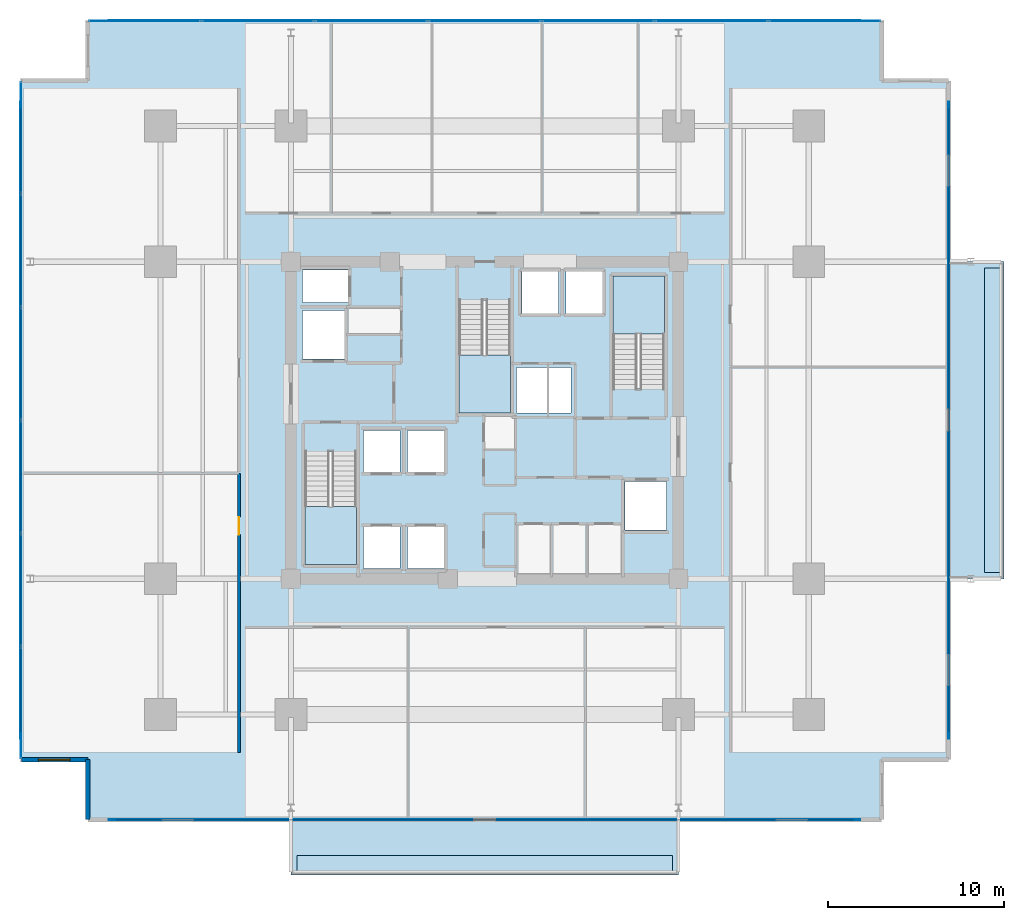
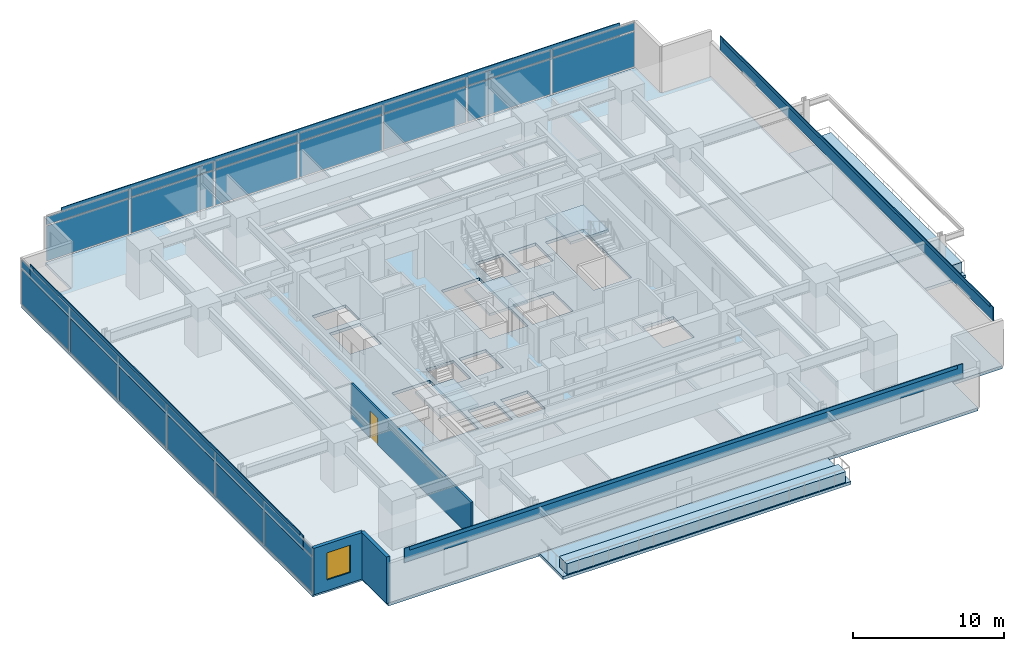
# One storey, part 12 of 21: 34 plates, 8 slabs, 3 walls, 1 door, 1 window, 2 openings, 5 elements without a shape of their own.
"""IFC4 building model written with IfcOpenShell, lengths in metres."""

from ifc_helpers import new_model, si_unit, direction, frame, frame_2d, origin, origin_2d, place, context, subcontext, project, spatial, polyline, rectangle, outline, extrude, material, layer, layer_set, type_object, element, fill, aggregate, save


model = new_model("IFC4")

# Units and contexts
model_context = context("Model", 3, precision=1e-05, world=origin(), true_north=direction((0.0, 1.0)))
body_context = subcontext(model_context, "Body", "Model", "MODEL_VIEW")
ifc_project = project(units=[si_unit("LENGTHUNIT", "METRE"), si_unit("AREAUNIT", "SQUARE_METRE"), si_unit("VOLUMEUNIT", "CUBIC_METRE"), si_unit("PLANEANGLEUNIT", "RADIAN"), si_unit("MASSUNIT", "GRAM", prefix="KILO")], contexts=[model_context])

# Site, building, storey
site_placement = place(None, origin())
site = spatial("IfcSite", under=ifc_project, at=site_placement, CompositionType="ELEMENT")
building_placement = place(site_placement, origin())
building = spatial("IfcBuilding", under=site, at=building_placement, Name="Kovane Verandah Tower", CompositionType="ELEMENT")
storey_placement = place(building_placement, frame((0.0, 0.0, 87.60009765625)))
storey = spatial("IfcBuildingStorey", under=building, at=storey_placement, Name="L20", CompositionType="ELEMENT", Elevation=87.60009765625)

# Curtain wall, plates
ifc_material_1 = material(Name="Champagne Anodised Aluminium Frame with Low-E Clear Laminated Glass", Category="aluminium")
curtain_wall_type = type_object("IfcCurtainWallType", Name="CW-SYS-02-LOW", PredefinedType="NOTDEFINED", material=ifc_material_1)
curtain_wall_1_placement = place(storey_placement, origin())
curtain_wall_1 = element("IfcCurtainWall", 1, at=curtain_wall_1_placement, inside=storey, type_object=curtain_wall_type, Name="L20 N Unitised Curtain Wall", PredefinedType="NOTDEFINED")
ifc_material_2 = material(Name="Pale Champagne Anodised Aluminium Insulated Spandrel", Category="aluminium")
ifc_layer_1 = layer(ifc_material_2, 0.0400390625)
ifc_layer_set_1 = layer_set([ifc_layer_1], Name="Pale Champagne Anodised Aluminium Insulated Spandrel")
plate_type_1 = type_object("IfcPlateType", Name="PL-CW-SPD-40", PredefinedType="SHEET", material=ifc_layer_set_1)
plate_1_placement = place(storey_placement, frame((59.311279296875, 50.1708984375, 3.02978515625), z_axis=(0.0, 0.0, 1.0), x_axis=(-1.0, 0.0, 0.0)))
plate_1 = element("IfcPlate", 2, at=plate_1_placement, type_object=plate_type_1, Name="L20 N Unitised Curtain Wall Spandrel Panel 1", PredefinedType="SHEET", context=body_context, shape_type="SweptSolid", body=[
    extrude(rectangle(XDim=6.297119140625, YDim=0.0400390625, at=origin_2d()), origin(), (0.0, 0.0, 1.0), 0.639892578125),
])
plate_2_placement = place(storey_placement, frame((52.874267578125, 50.1708984375, 3.02978515625), z_axis=(0.0, 0.0, 1.0), x_axis=(-1.0, 0.0, 0.0)))
plate_2 = element("IfcPlate", 3, at=plate_2_placement, type_object=plate_type_1, Name="L20 N Unitised Curtain Wall Spandrel Panel 2", PredefinedType="SHEET", context=body_context, shape_type="SweptSolid", body=[
    extrude(rectangle(XDim=6.297119140625, YDim=0.0400390625, at=origin_2d()), origin(), (0.0, 0.0, 1.0), 0.639892578125),
])
plate_3_placement = place(storey_placement, frame((46.43701171875, 50.1708984375, 3.02978515625), z_axis=(0.0, 0.0, 1.0), x_axis=(-1.0, 0.0, 0.0)))
plate_3 = element("IfcPlate", 4, at=plate_3_placement, type_object=plate_type_1, Name="L20 N Unitised Curtain Wall Spandrel Panel 3", PredefinedType="SHEET", context=body_context, shape_type="SweptSolid", body=[
    extrude(rectangle(XDim=6.297119140625, YDim=0.0400390625, at=origin_2d()), origin(), (0.0, 0.0, 1.0), 0.639892578125),
])
plate_4_placement = place(storey_placement, frame((40.0, 50.1708984375, 3.02978515625), z_axis=(0.0, 0.0, 1.0), x_axis=(-1.0, 0.0, 0.0)))
plate_4 = element("IfcPlate", 5, at=plate_4_placement, type_object=plate_type_1, Name="L20 N Unitised Curtain Wall Spandrel Panel 4", PredefinedType="SHEET", context=body_context, shape_type="SweptSolid", body=[
    extrude(rectangle(XDim=6.297119140625, YDim=0.0400390625, at=origin_2d()), origin(), (0.0, 0.0, 1.0), 0.639892578125),
])
plate_5_placement = place(storey_placement, frame((33.56298828125, 50.1708984375, 3.02978515625), z_axis=(0.0, 0.0, 1.0), x_axis=(-1.0, 0.0, 0.0)))
plate_5 = element("IfcPlate", 6, at=plate_5_placement, type_object=plate_type_1, Name="L20 N Unitised Curtain Wall Spandrel Panel 5", PredefinedType="SHEET", context=body_context, shape_type="SweptSolid", body=[
    extrude(rectangle(XDim=6.297119140625, YDim=0.0400390625, at=origin_2d()), origin(), (0.0, 0.0, 1.0), 0.639892578125),
])
plate_6_placement = place(storey_placement, frame((27.125732421875, 50.1708984375, 3.02978515625), z_axis=(0.0, 0.0, 1.0), x_axis=(-1.0, 0.0, 0.0)))
plate_6 = element("IfcPlate", 7, at=plate_6_placement, type_object=plate_type_1, Name="L20 N Unitised Curtain Wall Spandrel Panel 6", PredefinedType="SHEET", context=body_context, shape_type="SweptSolid", body=[
    extrude(rectangle(XDim=6.297119140625, YDim=0.0400390625, at=origin_2d()), origin(), (0.0, 0.0, 1.0), 0.639892578125),
])
plate_7_placement = place(storey_placement, frame((20.688720703125, 50.1708984375, 3.02978515625), z_axis=(0.0, 0.0, 1.0), x_axis=(-1.0, 0.0, 0.0)))
plate_7 = element("IfcPlate", 8, at=plate_7_placement, type_object=plate_type_1, Name="L20 N Unitised Curtain Wall Spandrel Panel 7", PredefinedType="SHEET", context=body_context, shape_type="SweptSolid", body=[
    extrude(rectangle(XDim=6.297119140625, YDim=0.0400390625, at=origin_2d()), origin(), (0.0, 0.0, 1.0), 0.639892578125),
])

curtain_wall_2_placement = place(storey_placement, origin())
curtain_wall_2 = element("IfcCurtainWall", 9, at=curtain_wall_2_placement, inside=storey, type_object=curtain_wall_type, Name="L20 W Unitised Curtain Wall", PredefinedType="NOTDEFINED")
plate_8_placement = place(storey_placement, frame((13.670166015625, 43.55908203125, 3.02978515625), z_axis=(0.0, 0.0, 1.0), x_axis=(0.0, -1.0, 0.0)))
plate_8 = element("IfcPlate", 10, at=plate_8_placement, type_object=plate_type_1, Name="L20 W Unitised Curtain Wall Spandrel Panel 1", PredefinedType="SHEET", context=body_context, shape_type="SweptSolid", body=[
    extrude(rectangle(XDim=6.28369140625, YDim=0.0400390625, at=origin_2d()), origin(), (0.0, 0.0, 1.0), 0.639892578125),
])
plate_9_placement = place(storey_placement, frame((13.670166015625, 37.135498046875, 3.02978515625), z_axis=(0.0, 0.0, 1.0), x_axis=(0.0, -1.0, 0.0)))
plate_9 = element("IfcPlate", 11, at=plate_9_placement, type_object=plate_type_1, Name="L20 W Unitised Curtain Wall Spandrel Panel 2", PredefinedType="SHEET", context=body_context, shape_type="SweptSolid", body=[
    extrude(rectangle(XDim=6.28369140625, YDim=0.0400390625, at=origin_2d()), origin(), (0.0, 0.0, 1.0), 0.639892578125),
])
plate_10_placement = place(storey_placement, frame((13.670166015625, 30.7119140625, 3.02978515625), z_axis=(0.0, 0.0, 1.0), x_axis=(0.0, -1.0, 0.0)))
plate_10 = element("IfcPlate", 12, at=plate_10_placement, type_object=plate_type_1, Name="L20 W Unitised Curtain Wall Spandrel Panel 3", PredefinedType="SHEET", context=body_context, shape_type="SweptSolid", body=[
    extrude(rectangle(XDim=6.28369140625, YDim=0.0400390625, at=origin_2d()), origin(), (0.0, 0.0, 1.0), 0.639892578125),
])
plate_11_placement = place(storey_placement, frame((13.670166015625, 24.2880859375, 3.02978515625), z_axis=(0.0, 0.0, 1.0), x_axis=(0.0, -1.0, 0.0)))
plate_11 = element("IfcPlate", 13, at=plate_11_placement, type_object=plate_type_1, Name="L20 W Unitised Curtain Wall Spandrel Panel 4", PredefinedType="SHEET", context=body_context, shape_type="SweptSolid", body=[
    extrude(rectangle(XDim=6.28369140625, YDim=0.0400390625, at=origin_2d()), origin(), (0.0, 0.0, 1.0), 0.639892578125),
])
plate_12_placement = place(storey_placement, frame((13.670166015625, 17.864501953125, 3.02978515625), z_axis=(0.0, 0.0, 1.0), x_axis=(0.0, -1.0, 0.0)))
plate_12 = element("IfcPlate", 14, at=plate_12_placement, type_object=plate_type_1, Name="L20 W Unitised Curtain Wall Spandrel Panel 5", PredefinedType="SHEET", context=body_context, shape_type="SweptSolid", body=[
    extrude(rectangle(XDim=6.28369140625, YDim=0.0400390625, at=origin_2d()), origin(), (0.0, 0.0, 1.0), 0.639892578125),
])
plate_13_placement = place(storey_placement, frame((13.670166015625, 11.44091796875, 3.02978515625), z_axis=(0.0, 0.0, 1.0), x_axis=(0.0, -1.0, 0.0)))
plate_13 = element("IfcPlate", 15, at=plate_13_placement, type_object=plate_type_1, Name="L20 W Unitised Curtain Wall Spandrel Panel 6", PredefinedType="SHEET", context=body_context, shape_type="SweptSolid", body=[
    extrude(rectangle(XDim=6.28369140625, YDim=0.0400390625, at=origin_2d()), origin(), (0.0, 0.0, 1.0), 0.639892578125),
])

# Plate
ifc_material_3 = material(Name="Clear Low-E Laminated Double Glazing", Category="glass")
ifc_layer_2 = layer(ifc_material_3, 0.031982421875)
ifc_layer_set_2 = layer_set([ifc_layer_2], Name="Clear Low-E Laminated Double Glazing")
plate_type_2 = type_object("IfcPlateType", Name="PL-CW-VIS-32", PredefinedType="CURTAIN_PANEL", material=ifc_layer_set_2)
plate_14_placement = place(storey_placement, frame((59.311279296875, 50.1708984375, 0.099853515625), z_axis=(0.0, 0.0, 1.0), x_axis=(-1.0, 0.0, 0.0)))
plate_14 = element("IfcPlate", 16, at=plate_14_placement, type_object=plate_type_2, Name="L20 N Unitised Curtain Wall Vision Panel 1", PredefinedType="CURTAIN_PANEL", context=body_context, shape_type="SweptSolid", body=[
    extrude(rectangle(XDim=6.297119140625, YDim=0.031982421875, at=origin_2d()), origin(), (0.0, 0.0, 1.0), 2.830078125),
])

plate_15_placement = place(storey_placement, frame((52.874267578125, 50.1708984375, 0.099853515625), z_axis=(0.0, 0.0, 1.0), x_axis=(-1.0, 0.0, 0.0)))
plate_15 = element("IfcPlate", 17, at=plate_15_placement, type_object=plate_type_2, Name="L20 N Unitised Curtain Wall Vision Panel 2", PredefinedType="CURTAIN_PANEL", context=body_context, shape_type="SweptSolid", body=[
    extrude(rectangle(XDim=6.297119140625, YDim=0.031982421875, at=origin_2d()), origin(), (0.0, 0.0, 1.0), 2.830078125),
])

plate_16_placement = place(storey_placement, frame((46.43701171875, 50.1708984375, 0.099853515625), z_axis=(0.0, 0.0, 1.0), x_axis=(-1.0, 0.0, 0.0)))
plate_16 = element("IfcPlate", 18, at=plate_16_placement, type_object=plate_type_2, Name="L20 N Unitised Curtain Wall Vision Panel 3", PredefinedType="CURTAIN_PANEL", context=body_context, shape_type="SweptSolid", body=[
    extrude(rectangle(XDim=6.297119140625, YDim=0.031982421875, at=origin_2d()), origin(), (0.0, 0.0, 1.0), 2.830078125),
])

plate_17_placement = place(storey_placement, frame((40.0, 50.1708984375, 0.099853515625), z_axis=(0.0, 0.0, 1.0), x_axis=(-1.0, 0.0, 0.0)))
plate_17 = element("IfcPlate", 19, at=plate_17_placement, type_object=plate_type_2, Name="L20 N Unitised Curtain Wall Vision Panel 4", PredefinedType="CURTAIN_PANEL", context=body_context, shape_type="SweptSolid", body=[
    extrude(rectangle(XDim=6.297119140625, YDim=0.031982421875, at=origin_2d()), origin(), (0.0, 0.0, 1.0), 2.830078125),
])

plate_18_placement = place(storey_placement, frame((33.56298828125, 50.1708984375, 0.099853515625), z_axis=(0.0, 0.0, 1.0), x_axis=(-1.0, 0.0, 0.0)))
plate_18 = element("IfcPlate", 20, at=plate_18_placement, type_object=plate_type_2, Name="L20 N Unitised Curtain Wall Vision Panel 5", PredefinedType="CURTAIN_PANEL", context=body_context, shape_type="SweptSolid", body=[
    extrude(rectangle(XDim=6.297119140625, YDim=0.031982421875, at=origin_2d()), origin(), (0.0, 0.0, 1.0), 2.830078125),
])

plate_19_placement = place(storey_placement, frame((27.125732421875, 50.1708984375, 0.099853515625), z_axis=(0.0, 0.0, 1.0), x_axis=(-1.0, 0.0, 0.0)))
plate_19 = element("IfcPlate", 21, at=plate_19_placement, type_object=plate_type_2, Name="L20 N Unitised Curtain Wall Vision Panel 6", PredefinedType="CURTAIN_PANEL", context=body_context, shape_type="SweptSolid", body=[
    extrude(rectangle(XDim=6.297119140625, YDim=0.031982421875, at=origin_2d()), origin(), (0.0, 0.0, 1.0), 2.830078125),
])

plate_20_placement = place(storey_placement, frame((20.688720703125, 50.1708984375, 0.099853515625), z_axis=(0.0, 0.0, 1.0), x_axis=(-1.0, 0.0, 0.0)))
plate_20 = element("IfcPlate", 22, at=plate_20_placement, type_object=plate_type_2, Name="L20 N Unitised Curtain Wall Vision Panel 7", PredefinedType="CURTAIN_PANEL", context=body_context, shape_type="SweptSolid", body=[
    extrude(rectangle(XDim=6.297119140625, YDim=0.031982421875, at=origin_2d()), origin(), (0.0, 0.0, 1.0), 2.830078125),
])

aggregate(curtain_wall_1, [plate_14, plate_1, plate_15, plate_2, plate_16, plate_3, plate_17, plate_4, plate_18, plate_5, plate_19, plate_6, plate_20, plate_7])

plate_21_placement = place(storey_placement, frame((13.670166015625, 43.55908203125, 0.099853515625), z_axis=(0.0, 0.0, 1.0), x_axis=(0.0, -1.0, 0.0)))
plate_21 = element("IfcPlate", 23, at=plate_21_placement, type_object=plate_type_2, Name="L20 W Unitised Curtain Wall Vision Panel 1", PredefinedType="CURTAIN_PANEL", context=body_context, shape_type="SweptSolid", body=[
    extrude(rectangle(XDim=6.28369140625, YDim=0.031982421875, at=origin_2d()), origin(), (0.0, 0.0, 1.0), 2.830078125),
])

plate_22_placement = place(storey_placement, frame((13.670166015625, 37.135498046875, 0.099853515625), z_axis=(0.0, 0.0, 1.0), x_axis=(0.0, -1.0, 0.0)))
plate_22 = element("IfcPlate", 24, at=plate_22_placement, type_object=plate_type_2, Name="L20 W Unitised Curtain Wall Vision Panel 2", PredefinedType="CURTAIN_PANEL", context=body_context, shape_type="SweptSolid", body=[
    extrude(rectangle(XDim=6.28369140625, YDim=0.031982421875, at=origin_2d()), origin(), (0.0, 0.0, 1.0), 2.830078125),
])

plate_23_placement = place(storey_placement, frame((13.670166015625, 30.7119140625, 0.099853515625), z_axis=(0.0, 0.0, 1.0), x_axis=(0.0, -1.0, 0.0)))
plate_23 = element("IfcPlate", 25, at=plate_23_placement, type_object=plate_type_2, Name="L20 W Unitised Curtain Wall Vision Panel 3", PredefinedType="CURTAIN_PANEL", context=body_context, shape_type="SweptSolid", body=[
    extrude(rectangle(XDim=6.28369140625, YDim=0.031982421875, at=origin_2d()), origin(), (0.0, 0.0, 1.0), 2.830078125),
])

plate_24_placement = place(storey_placement, frame((13.670166015625, 24.2880859375, 0.099853515625), z_axis=(0.0, 0.0, 1.0), x_axis=(0.0, -1.0, 0.0)))
plate_24 = element("IfcPlate", 26, at=plate_24_placement, type_object=plate_type_2, Name="L20 W Unitised Curtain Wall Vision Panel 4", PredefinedType="CURTAIN_PANEL", context=body_context, shape_type="SweptSolid", body=[
    extrude(rectangle(XDim=6.28369140625, YDim=0.031982421875, at=origin_2d()), origin(), (0.0, 0.0, 1.0), 2.830078125),
])

plate_25_placement = place(storey_placement, frame((13.670166015625, 17.864501953125, 0.099853515625), z_axis=(0.0, 0.0, 1.0), x_axis=(0.0, -1.0, 0.0)))
plate_25 = element("IfcPlate", 27, at=plate_25_placement, type_object=plate_type_2, Name="L20 W Unitised Curtain Wall Vision Panel 5", PredefinedType="CURTAIN_PANEL", context=body_context, shape_type="SweptSolid", body=[
    extrude(rectangle(XDim=6.28369140625, YDim=0.031982421875, at=origin_2d()), origin(), (0.0, 0.0, 1.0), 2.830078125),
])

plate_26_placement = place(storey_placement, frame((13.670166015625, 11.44091796875, 0.099853515625), z_axis=(0.0, 0.0, 1.0), x_axis=(0.0, -1.0, 0.0)))
plate_26 = element("IfcPlate", 28, at=plate_26_placement, type_object=plate_type_2, Name="L20 W Unitised Curtain Wall Vision Panel 6", PredefinedType="CURTAIN_PANEL", context=body_context, shape_type="SweptSolid", body=[
    extrude(rectangle(XDim=6.28369140625, YDim=0.031982421875, at=origin_2d()), origin(), (0.0, 0.0, 1.0), 2.830078125),
])

aggregate(curtain_wall_2, [plate_21, plate_8, plate_22, plate_9, plate_23, plate_10, plate_24, plate_11, plate_25, plate_12, plate_26, plate_13])

# Plates
ifc_material_4 = material(Name="Perforated Pale Champagne Anodised Aluminium Solar Screen", Category="aluminium")
ifc_layer_3 = layer(ifc_material_4, 0.050048828125)
ifc_layer_set_3 = layer_set([ifc_layer_3], Name="Perforated Pale Champagne Anodised Aluminium Solar Screen")
plate_type_3 = type_object("IfcPlateType", Name="PL-SCREEN-50", PredefinedType="USERDEFINED", material=ifc_layer_set_3)
plate_27_placement = place(storey_placement, frame((40.0, 4.814208984375, 2.85986328125), z_axis=(0.0, 0.0, 1.0), x_axis=(1.0, 0.0, 0.0)))
element("IfcPlate", 29, at=plate_27_placement, inside=storey, type_object=plate_type_3, Name="L20 S Perforated Champagne-Gold Solar Screen", ObjectType="SCREEN", PredefinedType="USERDEFINED", context=body_context, shape_type="SweptSolid", body=[
    extrude(rectangle(XDim=42.659912109375, YDim=0.050048828125, at=origin_2d()), origin(), (0.0, 0.0, 1.0), 1.14990234375),
])
plate_28_placement = place(storey_placement, frame((66.344970703125, 27.5, 2.85986328125), z_axis=(0.0, 0.0, 1.0), x_axis=(0.0, 1.0, 0.0)))
element("IfcPlate", 30, at=plate_28_placement, inside=storey, type_object=plate_type_3, Name="L20 E Perforated Champagne-Gold Solar Screen", ObjectType="SCREEN", PredefinedType="USERDEFINED", context=body_context, shape_type="SweptSolid", body=[
    extrude(rectangle(XDim=36.14208984375, YDim=0.050048828125, at=origin_2d()), origin(), (0.0, 0.0, 1.0), 1.14990234375),
])
plate_29_placement = place(storey_placement, frame((40.0, 50.185791015625, 2.85986328125), z_axis=(0.0, 0.0, 1.0), x_axis=(-1.0, 0.0, 0.0)))
element("IfcPlate", 31, at=plate_29_placement, inside=storey, type_object=plate_type_3, Name="L20 N Perforated Champagne-Gold Solar Screen", ObjectType="SCREEN", PredefinedType="USERDEFINED", context=body_context, shape_type="SweptSolid", body=[
    extrude(rectangle(XDim=42.659912109375, YDim=0.050048828125, at=origin_2d()), origin(), (0.0, 0.0, 1.0), 1.14990234375),
])
plate_30_placement = place(storey_placement, frame((13.655029296875, 27.5, 2.85986328125), z_axis=(0.0, 0.0, 1.0), x_axis=(0.0, -1.0, 0.0)))
element("IfcPlate", 32, at=plate_30_placement, inside=storey, type_object=plate_type_3, Name="L20 W Perforated Champagne-Gold Solar Screen", ObjectType="SCREEN", PredefinedType="USERDEFINED", context=body_context, shape_type="SweptSolid", body=[
    extrude(rectangle(XDim=36.14208984375, YDim=0.050048828125, at=origin_2d()), origin(), (0.0, 0.0, 1.0), 1.14990234375),
])
ifc_material_5 = material(Name="Extruded Pale-Bronze Aluminium Aerofoil Sunshade", Category="aluminium")
ifc_layer_4 = layer(ifc_material_5, 0.06005859375)
ifc_layer_set_4 = layer_set([ifc_layer_4], Name="Extruded Pale-Bronze Aluminium Aerofoil Sunshade")
plate_type_4 = type_object("IfcPlateType", Name="PL-SUNSHADE-60", PredefinedType="USERDEFINED", material=ifc_layer_set_4)
plate_31_placement = place(storey_placement, frame((40.0, 4.80908203125, 3.73974609375), z_axis=(0.0, 0.0, 1.0), x_axis=(1.0, 0.0, 0.0)))
element("IfcPlate", 33, at=plate_31_placement, inside=storey, type_object=plate_type_4, Name="L20 S Subtropical Aerofoil Sunshade", ObjectType="SUNSHADE", PredefinedType="USERDEFINED", context=body_context, shape_type="SweptSolid", body=[
    extrude(rectangle(XDim=41.860107421875, YDim=0.06005859375, at=origin_2d()), origin(), (0.0, 0.0, 1.0), 0.280029296875),
])
plate_32_placement = place(storey_placement, frame((66.349853515625, 27.5, 3.73974609375), z_axis=(0.0, 0.0, 1.0), x_axis=(0.0, 1.0, 0.0)))
element("IfcPlate", 34, at=plate_32_placement, inside=storey, type_object=plate_type_4, Name="L20 E Subtropical Aerofoil Sunshade", ObjectType="SUNSHADE", PredefinedType="USERDEFINED", context=body_context, shape_type="SweptSolid", body=[
    extrude(rectangle(XDim=35.342041015625, YDim=0.06005859375, at=origin_2d()), origin(), (0.0, 0.0, 1.0), 0.280029296875),
])
plate_33_placement = place(storey_placement, frame((40.0, 50.19091796875, 3.73974609375), z_axis=(0.0, 0.0, 1.0), x_axis=(-1.0, 0.0, 0.0)))
element("IfcPlate", 35, at=plate_33_placement, inside=storey, type_object=plate_type_4, Name="L20 N Subtropical Aerofoil Sunshade", ObjectType="SUNSHADE", PredefinedType="USERDEFINED", context=body_context, shape_type="SweptSolid", body=[
    extrude(rectangle(XDim=41.860107421875, YDim=0.06005859375, at=origin_2d()), origin(), (0.0, 0.0, 1.0), 0.280029296875),
])
plate_34_placement = place(storey_placement, frame((13.650146484375, 27.5, 3.73974609375), z_axis=(0.0, 0.0, 1.0), x_axis=(0.0, -1.0, 0.0)))
element("IfcPlate", 36, at=plate_34_placement, inside=storey, type_object=plate_type_4, Name="L20 W Subtropical Aerofoil Sunshade", ObjectType="SUNSHADE", PredefinedType="USERDEFINED", context=body_context, shape_type="SweptSolid", body=[
    extrude(rectangle(XDim=35.342041015625, YDim=0.06005859375, at=origin_2d()), origin(), (0.0, 0.0, 1.0), 0.280029296875),
])

# Slabs
ifc_material_6 = material(Name="Concrete C45/55", Category="concrete")
ifc_layer_5 = layer(ifc_material_6, 0.239990234375)
ifc_layer_set_5 = layer_set([ifc_layer_5], Name="Concrete C45/55")
slab_type_1 = type_object("IfcSlabType", Name="SL-BALC-240", PredefinedType="FLOOR", material=ifc_layer_set_5)
slab_1_placement = place(storey_placement, frame((0.0, 0.0, -0.239990234375)))
element("IfcSlab", 37, at=slab_1_placement, inside=storey, type_object=slab_type_1, Name="L20 S Planted Verandah Balcony Slab", PredefinedType="FLOOR", context=body_context, shape_type="SweptSolid", body=[
    extrude(outline(polyline([(29.0, 1.67919921875), (51.0, 1.67919921875), (51.0, 4.8291015625), (29.0, 4.8291015625), (29.0, 1.67919921875)])), origin(), (0.0, 0.0, 1.0), 0.239990234375),
])
slab_2_placement = place(storey_placement, frame((0.0, 0.0, -0.239990234375)))
element("IfcSlab", 38, at=slab_2_placement, inside=storey, type_object=slab_type_1, Name="L20 E Planted Verandah Balcony Slab", PredefinedType="FLOOR", context=body_context, shape_type="SweptSolid", body=[
    extrude(outline(polyline([(66.329833984375, 18.5), (69.47998046875, 18.5), (69.47998046875, 36.5), (66.329833984375, 36.5), (66.329833984375, 18.5)])), origin(), (0.0, 0.0, 1.0), 0.239990234375),
])

# Stair, slab
stair_type = type_object("IfcStairType", Name="ST-CORE-1380", PredefinedType="HALF_TURN_STAIR", material=ifc_material_6)
stair_1_placement = place(storey_placement, origin())
stair_1 = element("IfcStair", 39, at=stair_1_placement, inside=storey, type_object=stair_type, Name="L20 Exit Stair ST-01", PredefinedType="HALF_TURN_STAIR")
ifc_layer_6 = layer(ifc_material_6, 0.199951171875)
ifc_layer_set_6 = layer_set([ifc_layer_6], Name="Concrete C45/55")
slab_type_2 = type_object("IfcSlabType", Name="SL-LAND-200", PredefinedType="LANDING", material=ifc_layer_set_6)
slab_3_placement = place(storey_placement, frame((0.0, 0.0, 1.7998046875)))
slab_3 = element("IfcSlab", 40, at=slab_3_placement, type_object=slab_type_2, Name="ST-01 landing 1", PredefinedType="LANDING", context=body_context, shape_type="SweptSolid", body=[
    extrude(outline(polyline([(29.800048828125, 22.614990234375), (29.800048828125, 19.300048828125), (32.719970703125, 19.300048828125), (32.719970703125, 22.614990234375), (29.800048828125, 22.614990234375)])), origin(), (0.0, 0.0, 1.0), 0.2001953125),
])
aggregate(stair_1, [slab_3])

stair_2_placement = place(storey_placement, origin())
stair_2 = element("IfcStair", 41, at=stair_2_placement, inside=storey, type_object=stair_type, Name="L20 Exit Stair ST-02", PredefinedType="HALF_TURN_STAIR")
slab_4_placement = place(storey_placement, frame((0.0, 0.0, 1.7998046875)))
slab_4 = element("IfcSlab", 42, at=slab_4_placement, type_object=slab_type_2, Name="ST-02 landing 1", PredefinedType="LANDING", context=body_context, shape_type="SweptSolid", body=[
    extrude(outline(polyline([(50.199951171875, 32.385009765625), (50.199951171875, 35.699951171875), (47.280029296875, 35.699951171875), (47.280029296875, 32.385009765625), (50.199951171875, 32.385009765625)])), origin(), (0.0, 0.0, 1.0), 0.2001953125),
])
aggregate(stair_2, [slab_4])

stair_3_placement = place(storey_placement, origin())
stair_3 = element("IfcStair", 43, at=stair_3_placement, inside=storey, type_object=stair_type, Name="L20 Exit Stair ST-03", PredefinedType="HALF_TURN_STAIR")
slab_5_placement = place(storey_placement, frame((0.0, 0.0, 1.7998046875)))
slab_5 = element("IfcSlab", 44, at=slab_5_placement, type_object=slab_type_2, Name="ST-03 landing 1", PredefinedType="LANDING", context=body_context, shape_type="SweptSolid", body=[
    extrude(outline(polyline([(38.5400390625, 31.215087890625), (38.5400390625, 27.89990234375), (41.4599609375, 27.89990234375), (41.4599609375, 31.215087890625), (38.5400390625, 31.215087890625)])), origin(), (0.0, 0.0, 1.0), 0.2001953125),
])
aggregate(stair_3, [slab_5])

# Slabs
ifc_material_7 = material(Name="Architectural Precast Concrete C45/55 Planter Trough", Category="concrete")
ifc_layer_7 = layer(ifc_material_7, 0.219970703125)
ifc_layer_set_7 = layer_set([ifc_layer_7], Name="Architectural Precast Concrete C45/55 Planter Trough")
slab_type_3 = type_object("IfcSlabType", Name="SL-PLANTER-220", PredefinedType="USERDEFINED", material=ifc_layer_set_7)
slab_6_placement = place(storey_placement, origin())
element("IfcSlab", 45, at=slab_6_placement, inside=storey, type_object=slab_type_3, Name="L20 S Structural Tree Planter", ObjectType="PLANTER", PredefinedType="USERDEFINED", context=body_context, shape_type="SweptSolid", body=[
    extrude(outline(polyline([(29.35009765625, 1.779052734375), (50.64990234375, 1.779052734375), (50.64990234375, 2.779052734375), (29.35009765625, 2.779052734375), (29.35009765625, 1.779052734375)])), origin(), (0.0, 0.0, 1.0), 0.849853515625),
])
slab_7_placement = place(storey_placement, origin())
element("IfcSlab", 46, at=slab_7_placement, inside=storey, type_object=slab_type_3, Name="L20 E Structural Tree Planter", ObjectType="PLANTER", PredefinedType="USERDEFINED", context=body_context, shape_type="SweptSolid", body=[
    extrude(outline(polyline([(68.3798828125, 18.85009765625), (69.3798828125, 18.85009765625), (69.3798828125, 36.14990234375), (68.3798828125, 36.14990234375), (68.3798828125, 18.85009765625)])), origin(), (0.0, 0.0, 1.0), 0.849853515625),
])
ifc_layer_8 = layer(ifc_material_6, 0.239990234375)
ifc_layer_set_8 = layer_set([ifc_layer_8], Name="Concrete C45/55")
slab_type_4 = type_object("IfcSlabType", Name="SL-TYP-240", PredefinedType="FLOOR", material=ifc_layer_set_8)
slab_8_placement = place(storey_placement, frame((0.0, 0.0, -0.239990234375)))
element("IfcSlab", 47, at=slab_8_placement, inside=storey, type_object=slab_type_4, Name="L20 Structural Floor Slab", PredefinedType="FLOOR", context=body_context, shape_type="SweptSolid", body=[
    extrude(outline(polyline([(17.47021484375, 4.8291015625), (62.52978515625, 4.8291015625), (62.52978515625, 8.22900390625), (66.329833984375, 8.22900390625), (66.329833984375, 46.77099609375), (62.52978515625, 46.77099609375), (62.52978515625, 50.1708984375), (17.47021484375, 50.1708984375), (17.47021484375, 46.77099609375), (13.670166015625, 46.77099609375), (13.670166015625, 8.22900390625), (17.47021484375, 8.22900390625), (17.47021484375, 4.8291015625)]), holes=[polyline([(29.800048828125, 19.300048828125), (32.719970703125, 19.300048828125), (32.719970703125, 25.705078125), (29.800048828125, 25.705078125), (29.800048828125, 19.300048828125)]), polyline([(47.280029296875, 29.294921875), (50.199951171875, 29.294921875), (50.199951171875, 35.699951171875), (47.280029296875, 35.699951171875), (47.280029296875, 29.294921875)]), polyline([(38.5400390625, 27.89990234375), (41.4599609375, 27.89990234375), (41.4599609375, 34.304931640625), (38.5400390625, 34.304931640625), (38.5400390625, 27.89990234375)]), polyline([(29.669921875, 30.969970703125), (32.030029296875, 30.969970703125), (32.030029296875, 33.72998046875), (29.669921875, 33.72998046875), (29.669921875, 30.969970703125)]), polyline([(47.969970703125, 21.27001953125), (50.330078125, 21.27001953125), (50.330078125, 24.030029296875), (47.969970703125, 24.030029296875), (47.969970703125, 21.27001953125)]), polyline([(29.669921875, 34.169921875), (32.22998046875, 34.169921875), (32.22998046875, 36.030029296875), (29.669921875, 36.030029296875), (29.669921875, 34.169921875)]), polyline([(33.1201171875, 19.070068359375), (35.179931640625, 19.070068359375), (35.179931640625, 21.429931640625), (33.1201171875, 21.429931640625), (33.1201171875, 19.070068359375)]), polyline([(35.6201171875, 19.070068359375), (37.679931640625, 19.070068359375), (37.679931640625, 21.429931640625), (35.6201171875, 21.429931640625), (35.6201171875, 19.070068359375)]), polyline([(33.1201171875, 24.570068359375), (35.179931640625, 24.570068359375), (35.179931640625, 26.929931640625), (33.1201171875, 26.929931640625), (33.1201171875, 24.570068359375)]), polyline([(35.6201171875, 24.570068359375), (37.679931640625, 24.570068359375), (37.679931640625, 26.929931640625), (35.6201171875, 26.929931640625), (35.6201171875, 24.570068359375)]), polyline([(42.1201171875, 33.570068359375), (44.179931640625, 33.570068359375), (44.179931640625, 35.929931640625), (42.1201171875, 35.929931640625), (42.1201171875, 33.570068359375)]), polyline([(44.6201171875, 33.570068359375), (46.679931640625, 33.570068359375), (46.679931640625, 35.929931640625), (44.6201171875, 35.929931640625), (44.6201171875, 33.570068359375)]), polyline([(41.800048828125, 27.89990234375), (44.89990234375, 27.89990234375), (44.89990234375, 30.5), (41.800048828125, 30.5), (41.800048828125, 27.89990234375)])]), origin(), (0.0, 0.0, 1.0), 0.239990234375),
])

# Wall, opening, door
ifc_material_8 = material(Name="Fire-Rated Gypsum Stud Partition", Category="gypsum")
ifc_layer_9 = layer(ifc_material_8, 0.14990234375)
ifc_layer_set_9 = layer_set([ifc_layer_9], Name="Fire-Rated Gypsum Stud Partition")
wall_type_1 = type_object("IfcWallType", Name="WL-COR-150", PredefinedType="PARTITIONING", material=ifc_layer_set_9)
wall_1_placement = place(storey_placement, frame((26.050048828125, 8.629150390625, 0.0), z_axis=(0.0, 0.0, 1.0), x_axis=(0.0, 1.0, 0.0)))
wall_1 = element("IfcWall", 48, at=wall_1_placement, inside=storey, type_object=wall_type_1, Name="L20 Breakout Pantry W1 Corridor Partition", PredefinedType="PARTITIONING", context=body_context, shape_type="SweptSolid", body=[
    extrude(rectangle(XDim=15.8515625, YDim=0.14990234375, at=frame_2d((7.92578125, 0.0))), origin(), (0.0, 0.0, 1.0), 2.849853515625),
])
opening_1_placement = place(wall_1_placement, frame((12.376220703125, 0.0, 0.0)))
opening_1 = element("IfcOpeningElement", 49, at=opening_1_placement, cuts=wall_1, Name="Opening DR-L20-033", PredefinedType="OPENING", context=body_context, shape_type="SweptSolid", body=[
    extrude(rectangle(XDim=1.0, YDim=2.14990234375, at=frame_2d((0.5, 1.074951171875))), frame((0.0, 0.074951171875, 0.0), z_axis=(0.0, -1.0, 0.0), x_axis=(1.0, 0.0, 0.0)), (0.0, 0.0, 1.0), 0.14990234375),
])
ifc_material_9 = material(Name="FSC Spotted-Gum Timber Fire-Rated Office Door", Category="wood")
door_type = type_object("IfcDoorType", Name="DR-OFF-1000", OperationType="SINGLE_SWING_LEFT", PredefinedType="DOOR", material=ifc_material_9)
door_placement = place(opening_1_placement, origin())
door = element("IfcDoor", 50, at=door_placement, inside=storey, type_object=door_type, Name="L20 Breakout Pantry W1 Entrance Door", OperationType="SINGLE_SWING_RIGHT", OverallHeight=2.14990234375, OverallWidth=1.0, PredefinedType="DOOR", context=body_context, shape_type="SweptSolid", body=[
    extrude(rectangle(XDim=1.0, YDim=2.14990234375, at=frame_2d((0.5, 1.074951171875))), frame((0.0, 0.02490234375, 0.0), z_axis=(0.0, -1.0, 0.0), x_axis=(1.0, 0.0, 0.0)), (0.0, 0.0, 1.0), 0.050048828125),
])
fill(opening_1, door)

# Wall, opening, window
ifc_material_10 = material(Name="Concrete C45/55 Insulated Spandrel Wall", Category="concrete")
ifc_layer_10 = layer(ifc_material_10, 0.260009765625)
ifc_layer_set_10 = layer_set([ifc_layer_10], Name="Concrete C45/55 Insulated Spandrel Wall")
wall_type_2 = type_object("IfcWallType", Name="WL-SPANDREL-260", PredefinedType="PARAPET", material=ifc_layer_set_10)
wall_2_placement = place(storey_placement, frame((13.670166015625, 8.22900390625, 0.0), z_axis=(0.0, 0.0, 1.0), x_axis=(1.0, 0.0, 0.0)))
wall_2 = element("IfcWall", 51, at=wall_2_placement, inside=storey, type_object=wall_type_2, Name="L20 SW Notch Cheek Wall 1", PredefinedType="PARAPET", context=body_context, shape_type="SweptSolid", body=[
    extrude(rectangle(XDim=3.800048828125, YDim=0.260009765625, at=frame_2d((1.89990234375, 0.0))), origin(), (0.0, 0.0, 1.0), 3.760009765625),
])
opening_2_placement = place(wall_2_placement, frame((1.0, 0.0, 0.85009765625)))
opening_2 = element("IfcOpeningElement", 52, at=opening_2_placement, cuts=wall_2, Name="Opening W-03", PredefinedType="OPENING", context=body_context, shape_type="SweptSolid", body=[
    extrude(rectangle(XDim=1.800048828125, YDim=2.199951171875, at=frame_2d((0.89990234375, 1.10009765625))), frame((0.0, 0.1298828125, 0.0), z_axis=(0.0, -1.0, 0.0), x_axis=(1.0, 0.0, 0.0)), (0.0, 0.0, 1.0), 0.260009765625),
])
ifc_material_11 = material(Name="Clear Low-E Laminated Double Glazing in Anodised Frame", Category="glass")
window_type = type_object("IfcWindowType", Name="WN-NOTCH-1800x2200", PartitioningType="SINGLE_PANEL", PredefinedType="WINDOW", material=ifc_material_11)
window_placement = place(opening_2_placement, origin())
window = element("IfcWindow", 53, at=window_placement, inside=storey, type_object=window_type, Name="L20 SW Re-Entrant Corner Operable Window", OverallHeight=2.199951171875, OverallWidth=1.800048828125, PartitioningType="SINGLE_PANEL", PredefinedType="WINDOW", context=body_context, shape_type="SweptSolid", body=[
    extrude(rectangle(XDim=1.800048828125, YDim=2.199951171875, at=frame_2d((0.89990234375, 1.10009765625))), frame((0.0, 0.030029296875, 0.0), z_axis=(0.0, -1.0, 0.0), x_axis=(1.0, 0.0, 0.0)), (0.0, 0.0, 1.0), 0.06005859375),
])
fill(opening_2, window)

# Wall
wall_3_placement = place(storey_placement, frame((17.47021484375, 8.22900390625, 0.0), z_axis=(0.0, 0.0, 1.0), x_axis=(0.0, -1.0, 0.0)))
element("IfcWall", 54, at=wall_3_placement, inside=storey, type_object=wall_type_2, Name="L20 SW Notch Cheek Wall 2", PredefinedType="PARAPET", context=body_context, shape_type="SweptSolid", body=[
    extrude(rectangle(XDim=3.39990234375, YDim=0.260009765625, at=frame_2d((1.699951171875, 0.0))), origin(), (0.0, 0.0, 1.0), 3.760009765625),
])

save(model, "model.ifc")
